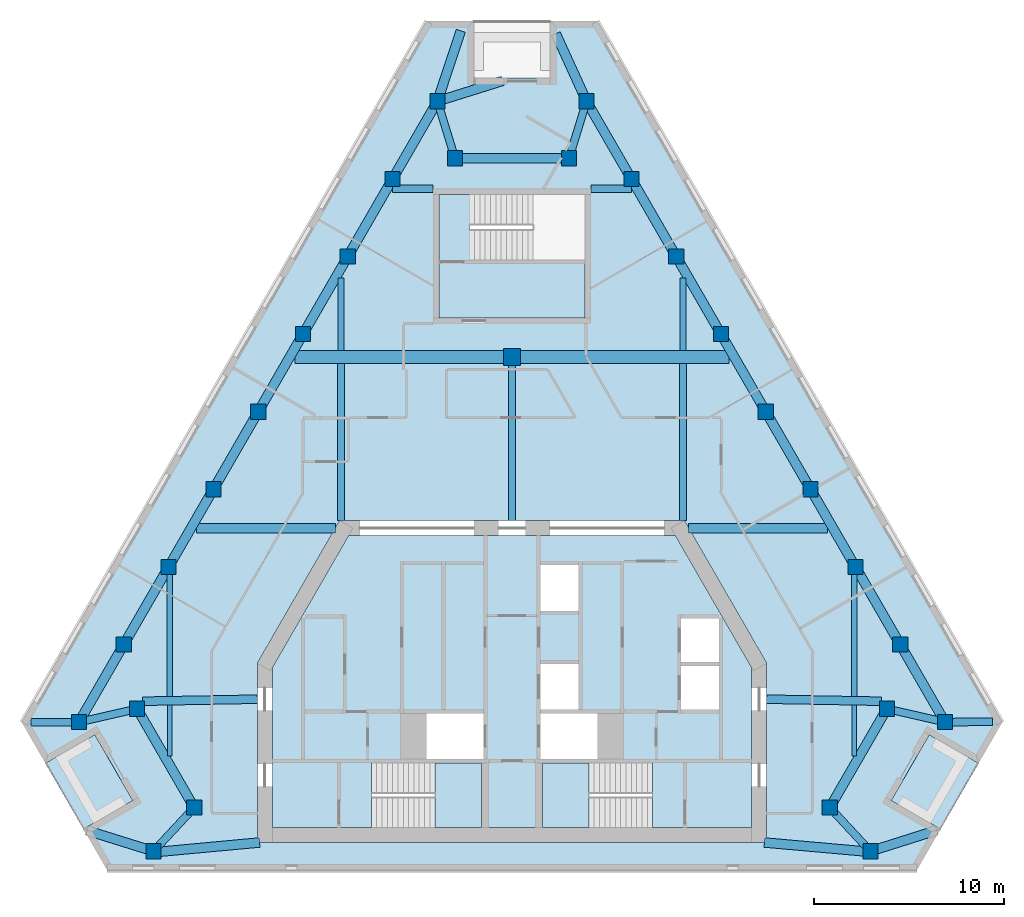
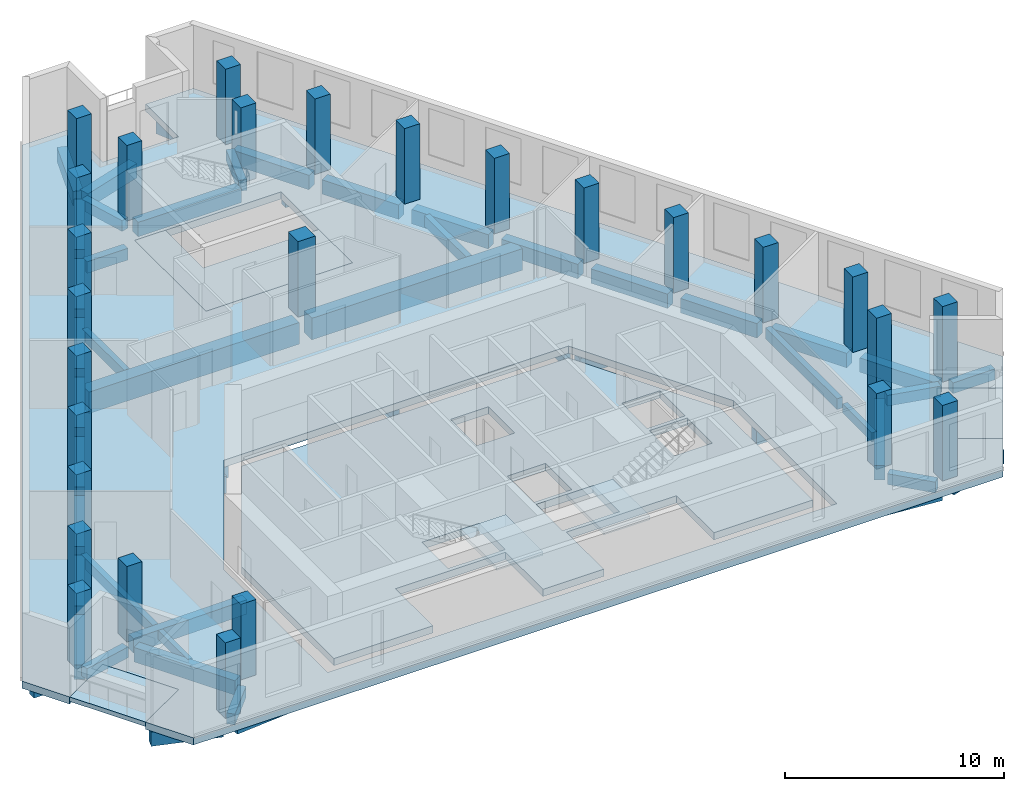
# One storey, part 1 of 8: 51 beams, 27 columns, 7 slabs, 2 elements without a shape of their own.
"""IFC4 building model written with IfcOpenShell, lengths in metres."""

from ifc_helpers import new_model, si_unit, direction, frame, origin, origin_2d, place, context, subcontext, project, spatial, polyline, rectangle, outline, extrude, material, layer, layer_set, material_profile, profile_set, type_object, element, aggregate, save


model = new_model("IFC4")

# Units and contexts
model_context = context("Model", 3, precision=1e-05, world=origin(), true_north=direction((0.0, 1.0)))
body_context = subcontext(model_context, "Body", "Model", "MODEL_VIEW")
ifc_project = project(units=[si_unit("LENGTHUNIT", "METRE"), si_unit("AREAUNIT", "SQUARE_METRE"), si_unit("VOLUMEUNIT", "CUBIC_METRE"), si_unit("PLANEANGLEUNIT", "RADIAN"), si_unit("MASSUNIT", "GRAM", prefix="KILO")], contexts=[model_context])

# Site, building, storey
site_placement = place(None, origin())
site = spatial("IfcSite", under=ifc_project, at=site_placement, CompositionType="ELEMENT")
building_placement = place(site_placement, origin())
building = spatial("IfcBuilding", under=site, at=building_placement, Name="Fogline Exchange Tower", CompositionType="ELEMENT")
storey_placement = place(building_placement, frame((0.0, 0.0, 266.699951171875)))
storey = spatial("IfcBuildingStorey", under=building, at=storey_placement, Name="L60", CompositionType="ELEMENT", Elevation=266.699951171875)

# Columns
ifc_material_1 = material(Name="Concrete C60", Category="concrete")
ifc_material_profile_1 = material_profile(ifc_material_1, rectangle(XDim=0.89990234375, YDim=0.89990234375, at=origin_2d()), Name="RC 900x900")
ifc_profile_set_1 = profile_set([ifc_material_profile_1], Name="Concrete C60")
column_type_1 = type_object("IfcColumnType", Name="C06", PredefinedType="COLUMN", material=ifc_profile_set_1)
column_placement = place(storey_placement, frame((0.0, 27.0, 0.0), z_axis=(0.0, 0.0, 1.0), x_axis=(1.0, 0.0, 0.0)))
element("IfcColumn", 1, at=column_placement, inside=storey, type_object=column_type_1, Name="IC-0-27", PredefinedType="COLUMN", context=body_context, shape_type="SweptSolid", body=[
    extrude(rectangle(XDim=0.89990234375, YDim=0.89990234375, at=origin_2d()), origin(), (0.0, 0.0, 1.0), 4.199951171875),
])
ifc_material_profile_2 = material_profile(ifc_material_1, rectangle(XDim=0.800048828125, YDim=0.800048828125, at=origin_2d()), Name="RC 800x800")
ifc_profile_set_2 = profile_set([ifc_material_profile_2], Name="Concrete C60")
column_type_2 = type_object("IfcColumnType", Name="C07", PredefinedType="COLUMN", material=ifc_profile_set_2)
for number, where, z_axis, x_axis, name in (
    (2, (-22.7802734375, 7.794189453125, 0.0), (0.0, 0.0, 1.0), (1.0, 0.0, 0.0), "SW-a"),
    (3, (-19.720947265625, 8.4951171875, 0.0), (0.0, 0.0, 1.0), (1.0, 0.0, 0.0), "SW-p4"),
    (4, (-16.720947265625, 3.299072265625, 0.0), (0.0, 0.0, 1.0), (1.0, 0.0, 0.0), "SW-p3"),
    (5, (-18.857666015625, 1.0, 0.0), (0.0, 0.0, 1.0), (1.0, 0.0, 0.0), "SW-b"),
    (6, (18.857666015625, 1.0, 0.0), (0.0, 0.0, 1.0), (1.0, 0.0, 0.0), "SE-a"),
    (7, (16.720947265625, 3.299072265625, 0.0), (0.0, 0.0, 1.0), (1.0, 0.0, 0.0), "SE-p4"),
    (8, (19.720947265625, 8.4951171875, 0.0), (0.0, 0.0, 1.0), (1.0, 0.0, 0.0), "SE-p3"),
    (9, (22.7802734375, 7.794189453125, 0.0), (0.0, 0.0, 1.0), (1.0, 0.0, 0.0), "SE-b"),
    (10, (20.423095703125, 11.876953125, 0.0), (0.0, 0.0, 1.0), (1.0, 0.0, 0.0), "E1"),
    (11, (18.06591796875, 15.959716796875, 0.0), (0.0, 0.0, 1.0), (1.0, 0.0, 0.0), "E2"),
    (12, (15.708740234375, 20.04248046875, 0.0), (0.0, 0.0, 1.0), (1.0, 0.0, 0.0), "E3"),
    (13, (13.3515625, 24.12548828125, 0.0), (0.0, 0.0, 1.0), (1.0, 0.0, 0.0), "E4"),
    (14, (10.994384765625, 28.208251953125, 0.0), (0.0, 0.0, 1.0), (1.0, 0.0, 0.0), "E5"),
    (15, (8.63720703125, 32.291015625, 0.0), (0.0, 0.0, 1.0), (1.0, 0.0, 0.0), "E6"),
    (16, (6.27978515625, 36.373779296875, 0.0), (0.0, 0.0, 1.0), (1.0, 0.0, 0.0), "E7"),
    (17, (3.922607421875, 40.456787109375, 0.0), (0.0, 0.0, 1.0), (1.0, 0.0, 0.0), "N-a"),
    (18, (3.0, 37.456787109375, 0.0), (0.0, 0.0, 1.0), (1.0, 0.0, 0.0), "N-p4"),
    (19, (-3.0, 37.456787109375, 0.0), (0.0, 0.0, 1.0), (1.0, 0.0, 0.0), "N-p3"),
    (20, (-3.922607421875, 40.456787109375, 0.0), (0.0, 0.0, 1.0), (1.0, 0.0, 0.0), "N-b"),
    (21, (-6.27978515625, 36.373779296875, 0.0), (0.0, 0.0, 1.0), (1.0, 0.0, 0.0), "W1"),
    (22, (-8.63720703125, 32.291015625, 0.0), (0.0, 0.0, 1.0), (1.0, 0.0, 0.0), "W2"),
    (23, (-10.994384765625, 28.208251953125, 0.0), (0.0, 0.0, 1.0), (1.0, 0.0, 0.0), "W3"),
    (24, (-13.3515625, 24.12548828125, 0.0), (0.0, 0.0, 1.0), (1.0, 0.0, 0.0), "W4"),
    (25, (-15.708740234375, 20.04248046875, 0.0), (0.0, 0.0, 1.0), (1.0, 0.0, 0.0), "W5"),
    (26, (-18.06591796875, 15.959716796875, 0.0), (0.0, 0.0, 1.0), (1.0, 0.0, 0.0), "W6"),
    (27, (-20.423095703125, 11.876953125, 0.0), (0.0, 0.0, 1.0), (1.0, 0.0, 0.0), "W7"),
):
    element("IfcColumn", number, at=place(storey_placement, frame(where, z_axis=z_axis, x_axis=x_axis)), inside=storey, type_object=column_type_2, Name=name, PredefinedType="COLUMN", context=body_context, shape_type="SweptSolid", body=[
        extrude(rectangle(XDim=0.800048828125, YDim=0.800048828125, at=origin_2d()), origin(), (0.0, 0.0, 1.0), 4.199951171875),
    ])

# Beams
ifc_material_2 = material(Name="Concrete C40", Category="concrete")
ifc_material_profile_3 = material_profile(ifc_material_2, rectangle(XDim=0.300048828125, YDim=0.60009765625, at=origin_2d()), Name="RC 300x600")
ifc_profile_set_3 = profile_set([ifc_material_profile_3], Name="Concrete C40")
beam_type_1 = type_object("IfcBeamType", Name="B06", PredefinedType="BEAM", material=ifc_profile_set_3)
beam_1_placement = place(storey_placement, frame((-18.0, 9.1435546875, -0.699951171875), z_axis=(0.0, 1.0, 0.0), x_axis=(-1.0, 0.0, 0.0)))
element("IfcBeam", 28, at=beam_1_placement, inside=storey, type_object=beam_type_1, Name="SB002", PredefinedType="BEAM", context=body_context, shape_type="SweptSolid", body=[
    extrude(rectangle(XDim=0.300048828125, YDim=0.60009765625, at=origin_2d()), origin(), (0.0, 0.0, 1.0), 6.5361328125),
])
for number, where, z_axis, x_axis, name in (
    (29, (-9.0, 27.35009765625, -0.699951171875), (0.0, 1.0, 0.0), (-1.0, 0.0, 0.0), "SB004"),
    (30, (9.0, 27.35009765625, -0.699951171875), (0.0, 1.0, 0.0), (-1.0, 0.0, 0.0), "SB007"),
):
    element("IfcBeam", number, at=place(storey_placement, frame(where, z_axis=z_axis, x_axis=x_axis)), inside=storey, type_object=beam_type_1, Name=name, PredefinedType="BEAM", context=body_context, shape_type="SweptSolid", body=[
        extrude(rectangle(XDim=0.300048828125, YDim=0.60009765625, at=origin_2d()), origin(), (0.0, 0.0, 1.0), 3.812255859375),
    ])
beam_2_placement = place(storey_placement, frame((18.0, 9.1435546875, -0.699951171875), z_axis=(0.0, 1.0, 0.0), x_axis=(-1.0, 0.0, 0.0)))
element("IfcBeam", 31, at=beam_2_placement, inside=storey, type_object=beam_type_1, Name="SB009", PredefinedType="BEAM", context=body_context, shape_type="SweptSolid", body=[
    extrude(rectangle(XDim=0.300048828125, YDim=0.60009765625, at=origin_2d()), origin(), (0.0, 0.0, 1.0), 6.5361328125),
])
ifc_material_profile_4 = material_profile(ifc_material_2, rectangle(XDim=0.25, YDim=0.5, at=origin_2d()), Name="RC 250x500")
ifc_profile_set_4 = profile_set([ifc_material_profile_4], Name="Concrete C40")
beam_type_2 = type_object("IfcBeamType", Name="B08", PredefinedType="BEAM", material=ifc_profile_set_4)
for number, where, z_axis, x_axis, name in (
    (32, (-18.0, 6.014404296875, -0.64990234375), (0.0, 1.0, 0.0), (-1.0, 0.0, 0.0), "SB001"),
    (33, (18.0, 6.014404296875, -0.64990234375), (0.0, 1.0, 0.0), (-1.0, 0.0, 0.0), "SB008"),
):
    element("IfcBeam", number, at=place(storey_placement, frame(where, z_axis=z_axis, x_axis=x_axis)), inside=storey, type_object=beam_type_2, Name=name, PredefinedType="BEAM", context=body_context, shape_type="SweptSolid", body=[
        extrude(rectangle(XDim=0.25, YDim=0.5, at=origin_2d()), origin(), (0.0, 0.0, 1.0), 2.67919921875),
    ])
ifc_material_profile_5 = material_profile(ifc_material_2, rectangle(XDim=0.5, YDim=0.800048828125, at=origin_2d()), Name="RC 500x800")
ifc_profile_set_5 = profile_set([ifc_material_profile_5], Name="Concrete C40")
beam_type_3 = type_object("IfcBeamType", Name="B10", PredefinedType="BEAM", material=ifc_profile_set_5)
beam_3_placement = place(storey_placement, frame((-19.550048828125, 8.19921875, -0.800048828125), z_axis=(0.500011318533, -0.866018868928, 0.0), x_axis=(0.866018868928, 0.500011318533, 0.0)))
element("IfcBeam", 34, at=beam_3_placement, inside=storey, type_object=beam_type_3, Name="RB002", PredefinedType="BEAM", context=body_context, shape_type="SweptSolid", body=[
    extrude(rectangle(XDim=0.5, YDim=0.800048828125, at=origin_2d()), origin(), (0.0, 0.0, 1.0), 5.31640625),
])
beam_4_placement = place(storey_placement, frame((-18.5771484375, 0.970703125, -0.800048828125), z_axis=(0.995739815684, 0.092207480512, 0.0), x_axis=(-0.092207480512, 0.995739815684, 0.0)))
element("IfcBeam", 35, at=beam_4_placement, inside=storey, type_object=beam_type_3, Name="RB004", PredefinedType="BEAM", context=body_context, shape_type="SweptSolid", body=[
    extrude(rectangle(XDim=0.5, YDim=0.800048828125, at=origin_2d()), origin(), (0.0, 0.0, 1.0), 5.3193359375),
])
beam_5_placement = place(storey_placement, frame((13.280517578125, 1.460693359375, -0.800048828125), z_axis=(0.996066339578, -0.088610649246, 0.0), x_axis=(0.088610649246, 0.996066339578, 0.0)))
element("IfcBeam", 36, at=beam_5_placement, inside=storey, type_object=beam_type_3, Name="RB005", PredefinedType="BEAM", context=body_context, shape_type="SweptSolid", body=[
    extrude(rectangle(XDim=0.5, YDim=0.800048828125, at=origin_2d()), origin(), (0.0, 0.0, 1.0), 5.317626953125),
])
beam_6_placement = place(storey_placement, frame((16.891845703125, 3.59521484375, -0.800048828125), z_axis=(0.500011318533, 0.866018868928, 0.0), x_axis=(-0.866018868928, 0.500011318533, 0.0)))
element("IfcBeam", 37, at=beam_6_placement, inside=storey, type_object=beam_type_3, Name="RB007", PredefinedType="BEAM", context=body_context, shape_type="SweptSolid", body=[
    extrude(rectangle(XDim=0.5, YDim=0.800048828125, at=origin_2d()), origin(), (0.0, 0.0, 1.0), 5.31640625),
])
for number, where, z_axis, x_axis, name in (
    (38, (22.609375, 8.09033203125, -0.800048828125), (-0.500002082887, 0.866024201226, 0.0), (-0.866024201226, -0.500002082887, 0.0), "RB009"),
    (39, (20.252197265625, 12.173095703125, -0.800048828125), (-0.500002082887, 0.866024201226, 0.0), (-0.866024201226, -0.500002082887, 0.0), "RB010"),
    (40, (17.89501953125, 16.255859375, -0.800048828125), (-0.500002082887, 0.866024201226, 0.0), (-0.866024201226, -0.500002082887, 0.0), "RB011"),
):
    element("IfcBeam", number, at=place(storey_placement, frame(where, z_axis=z_axis, x_axis=x_axis)), inside=storey, type_object=beam_type_3, Name=name, PredefinedType="BEAM", context=body_context, shape_type="SweptSolid", body=[
        extrude(rectangle(XDim=0.5, YDim=0.800048828125, at=origin_2d()), origin(), (0.0, 0.0, 1.0), 4.03076171875),
    ])
for number, where, z_axis, x_axis, name in (
    (41, (15.53759765625, 20.338623046875, -0.800048828125), (-0.499956653746, 0.866050428309, 0.0), (-0.866050428309, -0.499956653746, 0.0), "RB012"),
    (42, (13.180419921875, 24.42138671875, -0.800048828125), (-0.499956653746, 0.866050428309, 0.0), (-0.866050428309, -0.499956653746, 0.0), "RB013"),
    (43, (10.8232421875, 28.50439453125, -0.800048828125), (-0.499956653746, 0.866050428309, 0.0), (-0.866050428309, -0.499956653746, 0.0), "RB014"),
):
    element("IfcBeam", number, at=place(storey_placement, frame(where, z_axis=z_axis, x_axis=x_axis)), inside=storey, type_object=beam_type_3, Name=name, PredefinedType="BEAM", context=body_context, shape_type="SweptSolid", body=[
        extrude(rectangle(XDim=0.5, YDim=0.800048828125, at=origin_2d()), origin(), (0.0, 0.0, 1.0), 4.030517578125),
    ])
for number, where, z_axis, x_axis, name in (
    (44, (8.466064453125, 32.587158203125, -0.800048828125), (-0.500002082887, 0.866024201226, 0.0), (-0.866024201226, -0.500002082887, 0.0), "RB015"),
    (45, (6.10888671875, 36.669921875, -0.800048828125), (-0.500002082887, 0.866024201226, 0.0), (-0.866024201226, -0.500002082887, 0.0), "RB016"),
):
    element("IfcBeam", number, at=place(storey_placement, frame(where, z_axis=z_axis, x_axis=x_axis)), inside=storey, type_object=beam_type_3, Name=name, PredefinedType="BEAM", context=body_context, shape_type="SweptSolid", body=[
        extrude(rectangle(XDim=0.5, YDim=0.800048828125, at=origin_2d()), origin(), (0.0, 0.0, 1.0), 4.03076171875),
    ])
beam_7_placement = place(storey_placement, frame((2.719970703125, 37.456787109375, -0.800048828125), z_axis=(-1.0, 0.0, 0.0), x_axis=(0.0, -1.0, 0.0)))
element("IfcBeam", 46, at=beam_7_placement, inside=storey, type_object=beam_type_3, Name="RB018", PredefinedType="BEAM", context=body_context, shape_type="SweptSolid", body=[
    extrude(rectangle(XDim=0.5, YDim=0.800048828125, at=origin_2d()), origin(), (0.0, 0.0, 1.0), 5.43994140625),
])
for number, where, z_axis, x_axis, name in (
    (47, (-4.093505859375, 40.16064453125, -0.800048828125), (-0.500002082887, -0.866024201226, 0.0), (0.866024201226, -0.500002082887, 0.0), "RB020"),
    (48, (-6.45068359375, 36.077880859375, -0.800048828125), (-0.500002082887, -0.866024201226, 0.0), (0.866024201226, -0.500002082887, 0.0), "RB021"),
):
    element("IfcBeam", number, at=place(storey_placement, frame(where, z_axis=z_axis, x_axis=x_axis)), inside=storey, type_object=beam_type_3, Name=name, PredefinedType="BEAM", context=body_context, shape_type="SweptSolid", body=[
        extrude(rectangle(XDim=0.5, YDim=0.800048828125, at=origin_2d()), origin(), (0.0, 0.0, 1.0), 4.03076171875),
    ])
for number, where, z_axis, x_axis, name in (
    (49, (-8.80810546875, 31.9951171875, -0.800048828125), (-0.499956653746, -0.866050428309, 0.0), (0.866050428309, -0.499956653746, 0.0), "RB022"),
    (50, (-11.165283203125, 27.912109375, -0.800048828125), (-0.499956653746, -0.866050428309, 0.0), (0.866050428309, -0.499956653746, 0.0), "RB023"),
    (51, (-13.5224609375, 23.829345703125, -0.800048828125), (-0.499956653746, -0.866050428309, 0.0), (0.866050428309, -0.499956653746, 0.0), "RB024"),
):
    element("IfcBeam", number, at=place(storey_placement, frame(where, z_axis=z_axis, x_axis=x_axis)), inside=storey, type_object=beam_type_3, Name=name, PredefinedType="BEAM", context=body_context, shape_type="SweptSolid", body=[
        extrude(rectangle(XDim=0.5, YDim=0.800048828125, at=origin_2d()), origin(), (0.0, 0.0, 1.0), 4.030517578125),
    ])
for number, where, z_axis, x_axis, name in (
    (52, (-15.879638671875, 19.74658203125, -0.800048828125), (-0.500002082887, -0.866024201226, 0.0), (0.866024201226, -0.500002082887, 0.0), "RB025"),
    (53, (-18.23681640625, 15.663818359375, -0.800048828125), (-0.500002082887, -0.866024201226, 0.0), (0.866024201226, -0.500002082887, 0.0), "RB026"),
    (54, (-20.593994140625, 11.5810546875, -0.800048828125), (-0.500002082887, -0.866024201226, 0.0), (0.866024201226, -0.500002082887, 0.0), "RB027"),
):
    element("IfcBeam", number, at=place(storey_placement, frame(where, z_axis=z_axis, x_axis=x_axis)), inside=storey, type_object=beam_type_3, Name=name, PredefinedType="BEAM", context=body_context, shape_type="SweptSolid", body=[
        extrude(rectangle(XDim=0.5, YDim=0.800048828125, at=origin_2d()), origin(), (0.0, 0.0, 1.0), 4.03076171875),
    ])
beam_8_placement = place(storey_placement, frame((3.790283203125, 40.747314453125, -0.800048828125), z_axis=(-0.414547672788, 0.910027596827, 0.0), x_axis=(-0.910027596827, -0.414547672788, 0.0)))
element("IfcBeam", 55, at=beam_8_placement, inside=storey, type_object=beam_type_3, Name="SP028", PredefinedType="BEAM", context=body_context, shape_type="SweptSolid", body=[
    extrude(rectangle(XDim=0.5, YDim=0.800048828125, at=origin_2d()), origin(), (0.0, 0.0, 1.0), 3.580810546875),
])
beam_9_placement = place(storey_placement, frame((-3.827880859375, 40.742919921875, -0.800048828125), z_axis=(0.314884052228, 0.949130145793, 0.0), x_axis=(-0.949130145793, 0.314884052228, 0.0)))
element("IfcBeam", 56, at=beam_9_placement, inside=storey, type_object=beam_type_3, Name="SP029", PredefinedType="BEAM", context=body_context, shape_type="SweptSolid", body=[
    extrude(rectangle(XDim=0.5, YDim=0.800048828125, at=origin_2d()), origin(), (0.0, 0.0, 1.0), 3.598388671875),
])
beam_10_placement = place(storey_placement, frame((19.143310546875, 1.09033203125, -0.800048828125), z_axis=(0.953330716542, 0.301928045893, 0.0), x_axis=(-0.301928045893, 0.953330716542, 0.0)))
element("IfcBeam", 57, at=beam_10_placement, inside=storey, type_object=beam_type_3, Name="SP030", PredefinedType="BEAM", context=body_context, shape_type="SweptSolid", body=[
    extrude(rectangle(XDim=0.5, YDim=0.800048828125, at=origin_2d()), origin(), (0.0, 0.0, 1.0), 3.358154296875),
])
beam_11_placement = place(storey_placement, frame((-19.14306640625, 1.089111328125, -0.800048828125), z_axis=(-0.95464851982, 0.297735123231, 0.0), x_axis=(-0.297735123231, -0.95464851982, 0.0)))
element("IfcBeam", 58, at=beam_11_placement, inside=storey, type_object=beam_type_3, Name="SP031", PredefinedType="BEAM", context=body_context, shape_type="SweptSolid", body=[
    extrude(rectangle(XDim=0.5, YDim=0.800048828125, at=origin_2d()), origin(), (0.0, 0.0, 1.0), 3.37353515625),
])
beam_12_placement = place(storey_placement, frame((-3.63720703125, 40.546142578125, -0.800048828125), z_axis=(0.954270342063, 0.298945002063, 0.0), x_axis=(-0.298945002063, 0.954270342063, 0.0)))
element("IfcBeam", 59, at=beam_12_placement, inside=storey, type_object=beam_type_3, Name="SP034", PredefinedType="BEAM", context=body_context, shape_type="SweptSolid", body=[
    extrude(rectangle(XDim=0.5, YDim=0.800048828125, at=origin_2d()), origin(), (0.0, 0.0, 1.0), 3.298583984375),
])
ifc_material_profile_6 = material_profile(ifc_material_2, rectangle(XDim=0.39990234375, YDim=0.60009765625, at=origin_2d()), Name="RC 400x600")
ifc_profile_set_6 = profile_set([ifc_material_profile_6], Name="Concrete C40")
beam_type_4 = type_object("IfcBeamType", Name="B11", PredefinedType="BEAM", material=ifc_profile_set_6)
beam_13_placement = place(storey_placement, frame((-22.497314453125, 7.859130859375, -0.699951171875), z_axis=(0.974742274944, 0.223332705705, 0.0), x_axis=(-0.223332705705, 0.974742274944, 0.0)))
element("IfcBeam", 60, at=beam_13_placement, inside=storey, type_object=beam_type_4, Name="RB001", PredefinedType="BEAM", context=body_context, shape_type="SweptSolid", body=[
    extrude(rectangle(XDim=0.39990234375, YDim=0.60009765625, at=origin_2d()), origin(), (0.0, 0.0, 1.0), 2.55810546875),
])
for number, where, z_axis, x_axis, name in (
    (61, (-17.010986328125, 2.98681640625, -0.699951171875), (-0.680795043466, -0.732473964583, 0.0), (0.732473964583, -0.680795043466, 0.0), "RB003"),
    (62, (18.567626953125, 1.31201171875, -0.699951171875), (-0.680795043466, 0.732473964583, 0.0), (-0.732473964583, -0.680795043466, 0.0), "RB006"),
):
    element("IfcBeam", number, at=place(storey_placement, frame(where, z_axis=z_axis, x_axis=x_axis)), inside=storey, type_object=beam_type_4, Name=name, PredefinedType="BEAM", context=body_context, shape_type="SweptSolid", body=[
        extrude(rectangle(XDim=0.39990234375, YDim=0.60009765625, at=origin_2d()), origin(), (0.0, 0.0, 1.0), 2.28662109375),
    ])
beam_14_placement = place(storey_placement, frame((20.00390625, 8.430419921875, -0.699951171875), z_axis=(0.974742274944, -0.223332705705, 0.0), x_axis=(0.223332705705, 0.974742274944, 0.0)))
element("IfcBeam", 63, at=beam_14_placement, inside=storey, type_object=beam_type_4, Name="RB008", PredefinedType="BEAM", context=body_context, shape_type="SweptSolid", body=[
    extrude(rectangle(XDim=0.39990234375, YDim=0.60009765625, at=origin_2d()), origin(), (0.0, 0.0, 1.0), 2.55810546875),
])
for number, where, z_axis, x_axis, name in (
    (64, (3.8349609375, 40.17138671875, -0.699951171875), (-0.294011603251, -0.955801850361, 0.0), (0.955801850361, -0.294011603251, 0.0), "RB017"),
    (65, (-3.087646484375, 37.741943359375, -0.699951171875), (-0.294011603251, 0.955801850361, 0.0), (-0.955801850361, -0.294011603251, 0.0), "RB019"),
):
    element("IfcBeam", number, at=place(storey_placement, frame(where, z_axis=z_axis, x_axis=x_axis)), inside=storey, type_object=beam_type_4, Name=name, PredefinedType="BEAM", context=body_context, shape_type="SweptSolid", body=[
        extrude(rectangle(XDim=0.39990234375, YDim=0.60009765625, at=origin_2d()), origin(), (0.0, 0.0, 1.0), 2.541748046875),
    ])
beam_15_placement = place(storey_placement, frame((-23.060302734375, 7.794189453125, -0.699951171875), z_axis=(-1.0, 0.0, 0.0), x_axis=(0.0, -1.0, 0.0)))
element("IfcBeam", 66, at=beam_15_placement, inside=storey, type_object=beam_type_4, Name="SP032", PredefinedType="BEAM", context=body_context, shape_type="SweptSolid", body=[
    extrude(rectangle(XDim=0.39990234375, YDim=0.60009765625, at=origin_2d()), origin(), (0.0, 0.0, 1.0), 2.23681640625),
])
beam_16_placement = place(storey_placement, frame((23.060302734375, 7.796142578125, -0.699951171875), z_axis=(0.999974552329, 0.007134051795, 0.0), x_axis=(-0.007134051795, 0.999974552329, 0.0)))
element("IfcBeam", 67, at=beam_16_placement, inside=storey, type_object=beam_type_4, Name="SP033", PredefinedType="BEAM", context=body_context, shape_type="SweptSolid", body=[
    extrude(rectangle(XDim=0.39990234375, YDim=0.60009765625, at=origin_2d()), origin(), (0.0, 0.0, 1.0), 2.224365234375),
])
ifc_material_profile_7 = material_profile(ifc_material_2, rectangle(XDim=0.39990234375, YDim=0.64990234375, at=origin_2d()), Name="RC 400x650")
ifc_profile_set_7 = profile_set([ifc_material_profile_7], Name="Concrete C40")
beam_type_5 = type_object("IfcBeamType", Name="B13", PredefinedType="BEAM", material=ifc_profile_set_7)
for number, where, z_axis, x_axis, name in (
    (68, (-6.28955078125, 35.85693359375, -0.724853515625), (1.0, 0.0, 0.0), (0.0, 1.0, 0.0), "GB007"),
    (69, (4.14990234375, 35.85693359375, -0.724853515625), (1.0, 0.0, 0.0), (0.0, 1.0, 0.0), "GB008"),
):
    element("IfcBeam", number, at=place(storey_placement, frame(where, z_axis=z_axis, x_axis=x_axis)), inside=storey, type_object=beam_type_5, Name=name, PredefinedType="BEAM", context=body_context, shape_type="SweptSolid", body=[
        extrude(rectangle(XDim=0.39990234375, YDim=0.64990234375, at=origin_2d()), origin(), (0.0, 0.0, 1.0), 2.1396484375),
    ])
ifc_material_profile_8 = material_profile(ifc_material_2, rectangle(XDim=0.5, YDim=0.949951171875, at=origin_2d()), Name="RC 500x950")
ifc_profile_set_8 = profile_set([ifc_material_profile_8], Name="Concrete C40")
beam_type_6 = type_object("IfcBeamType", Name="B14", PredefinedType="BEAM", material=ifc_profile_set_8)
for number, where, z_axis, x_axis, name in (
    (70, (-16.599365234375, 18.0, -0.875), (1.0, 0.0, 0.0), (0.0, 1.0, 0.0), "GB003"),
    (71, (9.296142578125, 18.0, -0.875), (1.0, 0.0, 0.0), (0.0, 1.0, 0.0), "GB004"),
):
    element("IfcBeam", number, at=place(storey_placement, frame(where, z_axis=z_axis, x_axis=x_axis)), inside=storey, type_object=beam_type_6, Name=name, PredefinedType="BEAM", context=body_context, shape_type="SweptSolid", body=[
        extrude(rectangle(XDim=0.5, YDim=0.949951171875, at=origin_2d()), origin(), (0.0, 0.0, 1.0), 7.30322265625),
    ])
ifc_material_profile_9 = material_profile(ifc_material_2, rectangle(XDim=0.35009765625, YDim=0.64990234375, at=origin_2d()), Name="RC 350x650")
ifc_profile_set_9 = profile_set([ifc_material_profile_9], Name="Concrete C40")
beam_type_7 = type_object("IfcBeamType", Name="B16", PredefinedType="BEAM", material=ifc_profile_set_9)
beam_17_placement = place(storey_placement, frame((-9.0, 18.39990234375, -0.724853515625), z_axis=(0.0, 1.0, 0.0), x_axis=(-1.0, 0.0, 0.0)))
element("IfcBeam", 72, at=beam_17_placement, inside=storey, type_object=beam_type_7, Name="SB003", PredefinedType="BEAM", context=body_context, shape_type="SweptSolid", body=[
    extrude(rectangle(XDim=0.35009765625, YDim=0.64990234375, at=origin_2d()), origin(), (0.0, 0.0, 1.0), 8.25),
])
beam_18_placement = place(storey_placement, frame((0.0, 18.39990234375, -0.724853515625), z_axis=(0.0, 1.0, 0.0), x_axis=(-1.0, 0.0, 0.0)))
element("IfcBeam", 73, at=beam_18_placement, inside=storey, type_object=beam_type_7, Name="SB005", PredefinedType="BEAM", context=body_context, shape_type="SweptSolid", body=[
    extrude(rectangle(XDim=0.35009765625, YDim=0.64990234375, at=origin_2d()), origin(), (0.0, 0.0, 1.0), 8.27001953125),
])
beam_19_placement = place(storey_placement, frame((9.0, 18.39990234375, -0.724853515625), z_axis=(0.0, 1.0, 0.0), x_axis=(-1.0, 0.0, 0.0)))
element("IfcBeam", 74, at=beam_19_placement, inside=storey, type_object=beam_type_7, Name="SB006", PredefinedType="BEAM", context=body_context, shape_type="SweptSolid", body=[
    extrude(rectangle(XDim=0.35009765625, YDim=0.64990234375, at=origin_2d()), origin(), (0.0, 0.0, 1.0), 8.25),
])
ifc_material_profile_10 = material_profile(ifc_material_2, rectangle(XDim=0.699951171875, YDim=1.199951171875, at=origin_2d()), Name="RC 700x1200")
ifc_profile_set_10 = profile_set([ifc_material_profile_10], Name="Concrete C40")
beam_type_8 = type_object("IfcBeamType", Name="B17", PredefinedType="BEAM", material=ifc_profile_set_10)
for number, where, z_axis, x_axis, name in (
    (75, (-11.4033203125, 27.0, -1.0), (1.0, 0.0, 0.0), (0.0, 1.0, 0.0), "GB005"),
    (76, (0.330078125, 27.0, -1.0), (1.0, 0.0, 0.0), (0.0, 1.0, 0.0), "GB006"),
):
    element("IfcBeam", number, at=place(storey_placement, frame(where, z_axis=z_axis, x_axis=x_axis)), inside=storey, type_object=beam_type_8, Name=name, PredefinedType="BEAM", context=body_context, shape_type="SweptSolid", body=[
        extrude(rectangle(XDim=0.699951171875, YDim=1.199951171875, at=origin_2d()), origin(), (0.0, 0.0, 1.0), 11.0732421875),
    ])
ifc_material_profile_11 = material_profile(ifc_material_2, rectangle(XDim=0.449951171875, YDim=0.800048828125, at=origin_2d()), Name="RC 450x800")
ifc_profile_set_11 = profile_set([ifc_material_profile_11], Name="Concrete C40")
beam_type_9 = type_object("IfcBeamType", Name="B18", PredefinedType="BEAM", material=ifc_profile_set_11)
for number, where, z_axis, x_axis, name in (
    (77, (-19.44091796875, 8.89306640625, -0.800048828125), (0.999843369488, 0.017698488354, 0.0), (-0.017698488354, 0.999843369488, 0.0), "GB001"),
    (78, (13.39990234375, 9.0, -0.800048828125), (0.999843369488, -0.017698488354, 0.0), (0.017698488354, 0.999843369488, 0.0), "GB002"),
):
    element("IfcBeam", number, at=place(storey_placement, frame(where, z_axis=z_axis, x_axis=x_axis)), inside=storey, type_object=beam_type_9, Name=name, PredefinedType="BEAM", context=body_context, shape_type="SweptSolid", body=[
        extrude(rectangle(XDim=0.449951171875, YDim=0.800048828125, at=origin_2d()), origin(), (0.0, 0.0, 1.0), 6.0419921875),
    ])

# Slabs
ifc_layer_1 = layer(ifc_material_2, 0.25)
ifc_layer_set_1 = layer_set([ifc_layer_1], Name="DK1")
slab_type_1 = type_object("IfcSlabType", Name="DK1", PredefinedType="FLOOR", material=ifc_layer_set_1)
slab_1_placement = place(storey_placement, frame((0.0, 0.0, -0.25)))
element("IfcSlab", 79, at=slab_1_placement, inside=storey, type_object=slab_type_1, Name="Balcony L60 SW", PredefinedType="FLOOR", context=body_context, shape_type="SweptSolid", body=[
    extrude(outline(polyline([(-24.547119140625, 5.629150390625), (-22.547119140625, 2.1650390625), (-19.948974609375, 3.6650390625), (-21.948974609375, 7.129150390625), (-24.547119140625, 5.629150390625)])), origin(), (0.0, 0.0, 1.0), 0.25),
])
slab_2_placement = place(storey_placement, frame((0.0, 0.0, -0.25)))
element("IfcSlab", 80, at=slab_2_placement, inside=storey, type_object=slab_type_1, Name="Balcony L60 SE", PredefinedType="FLOOR", context=body_context, shape_type="SweptSolid", body=[
    extrude(outline(polyline([(22.547119140625, 2.1650390625), (24.547119140625, 5.629150390625), (21.948974609375, 7.129150390625), (19.948974609375, 3.6650390625), (22.547119140625, 2.1650390625)])), origin(), (0.0, 0.0, 1.0), 0.25),
])
ifc_layer_2 = layer(ifc_material_2, 0.39990234375)
ifc_layer_set_2 = layer_set([ifc_layer_2], Name="S03")
slab_type_2 = type_object("IfcSlabType", Name="S03", PredefinedType="FLOOR", material=ifc_layer_set_2)
slab_3_placement = place(storey_placement, frame((0.0, 0.0, -0.39990234375)))
element("IfcSlab", 81, at=slab_3_placement, inside=storey, type_object=slab_type_2, Name="SLAB L60", PredefinedType="FLOOR", context=body_context, shape_type="SweptSolid", body=[
    extrude(outline(polyline([(-2.0, 44.681640625), (-4.5, 44.681640625), (-25.797119140625, 7.794189453125), (-24.547119140625, 5.629150390625), (-21.948974609375, 7.129150390625), (-19.948974609375, 3.6650390625), (-22.547119140625, 2.1650390625), (-21.297119140625, 0.0), (21.297119140625, 0.0), (22.547119140625, 2.1650390625), (19.948974609375, 3.6650390625), (21.948974609375, 7.129150390625), (24.547119140625, 5.629150390625), (25.797119140625, 7.794189453125), (4.5, 44.681640625), (2.0, 44.681640625), (2.0, 41.681640625), (-2.0, 41.681640625), (-2.0, 44.681640625)]), holes=[polyline([(13.39990234375, 10.891845703125), (13.39990234375, 1.449951171875), (-13.39990234375, 1.449951171875), (-13.39990234375, 10.891845703125), (-9.065185546875, 18.39990234375), (9.065185546875, 18.39990234375), (13.39990234375, 10.891845703125)]), polyline([(3.85009765625, 35.556884765625), (3.85009765625, 29.056884765625), (-3.85009765625, 29.056884765625), (-3.85009765625, 35.556884765625), (3.85009765625, 35.556884765625)])]), origin(), (0.0, 0.0, 1.0), 0.39990234375),
])
slab_4_placement = place(storey_placement, frame((0.0, 0.0, -0.39990234375)))
element("IfcSlab", 82, at=slab_4_placement, inside=storey, type_object=slab_type_2, Name="Core floor slab", PredefinedType="FLOOR", context=body_context, shape_type="SweptSolid", body=[
    extrude(outline(polyline([(-12.60009765625, 2.25), (-12.60009765625, 10.677490234375), (-8.603271484375, 17.60009765625), (8.603271484375, 17.60009765625), (12.60009765625, 10.677490234375), (12.60009765625, 2.25), (7.389892578125, 2.25), (7.389892578125, 5.64990234375), (1.60009765625, 5.64990234375), (1.60009765625, 2.25), (-1.60009765625, 2.25), (-1.60009765625, 5.64990234375), (-7.389892578125, 5.64990234375), (-7.389892578125, 2.25), (-12.60009765625, 2.25)]), holes=[polyline([(-4.5, 8.25), (-4.5, 5.85009765625), (-1.5, 5.85009765625), (-1.5, 8.25), (-4.5, 8.25)]), polyline([(1.5, 8.25), (1.5, 5.85009765625), (4.5, 5.85009765625), (4.5, 8.25), (1.5, 8.25)]), polyline([(8.89990234375, 10.75), (8.89990234375, 8.449951171875), (10.89990234375, 8.449951171875), (10.89990234375, 10.75), (8.89990234375, 10.75)]), polyline([(1.5, 10.85009765625), (1.5, 8.449951171875), (3.5, 8.449951171875), (3.5, 10.85009765625), (1.5, 10.85009765625)]), polyline([(8.89990234375, 13.25), (8.89990234375, 10.949951171875), (10.89990234375, 10.949951171875), (10.89990234375, 13.25), (8.89990234375, 13.25)]), polyline([(1.5, 16.050048828125), (1.5, 13.64990234375), (3.5, 13.64990234375), (3.5, 16.050048828125), (1.5, 16.050048828125)])]), origin(), (0.0, 0.0, 1.0), 0.39990234375),
])
slab_5_placement = place(storey_placement, frame((0.0, 0.0, -0.39990234375)))
element("IfcSlab", 83, at=slab_5_placement, inside=storey, type_object=slab_type_2, Name="Stair enclosure floor slab", PredefinedType="FLOOR", context=body_context, shape_type="SweptSolid", body=[
    extrude(outline(polyline([(3.85009765625, 29.056884765625), (-3.85009765625, 29.056884765625), (-3.85009765625, 35.556884765625), (-2.239990234375, 35.556884765625), (-2.239990234375, 32.10693359375), (3.85009765625, 32.10693359375), (3.85009765625, 29.056884765625)])), origin(), (0.0, 0.0, 1.0), 0.39990234375),
])

# Stair, slab
stair_type = type_object("IfcStairType", Name="STR26-1615", PredefinedType="HALF_TURN_STAIR", material=ifc_material_2)
stair_1_placement = place(storey_placement, origin())
stair_1 = element("IfcStair", 84, at=stair_1_placement, inside=storey, type_object=stair_type, Name="Stair ST1", PredefinedType="HALF_TURN_STAIR")
ifc_layer_3 = layer(ifc_material_2, 0.199951171875)
ifc_layer_set_3 = layer_set([ifc_layer_3], Name="SL200")
slab_type_3 = type_object("IfcSlabType", Name="SL200", PredefinedType="LANDING", material=ifc_layer_set_3)
slab_6_placement = place(storey_placement, frame((0.0, 0.0, 1.900146484375)))
slab_6 = element("IfcSlab", 85, at=slab_6_placement, type_object=slab_type_3, Name="ST1 landing 1", PredefinedType="LANDING", context=body_context, shape_type="SweptSolid", body=[
    extrude(outline(polyline([(-4.0400390625, 2.25), (-1.60009765625, 2.25), (-1.60009765625, 5.64990234375), (-4.0400390625, 5.64990234375), (-4.0400390625, 2.25)])), origin(), (0.0, 0.0, 1.0), 0.199951171875),
])
aggregate(stair_1, [slab_6])

stair_2_placement = place(storey_placement, origin())
stair_2 = element("IfcStair", 86, at=stair_2_placement, inside=storey, type_object=stair_type, Name="Stair ST2", PredefinedType="HALF_TURN_STAIR")
slab_7_placement = place(storey_placement, frame((0.0, 0.0, 1.900146484375)))
slab_7 = element("IfcSlab", 87, at=slab_7_placement, type_object=slab_type_3, Name="ST2 landing 1", PredefinedType="LANDING", context=body_context, shape_type="SweptSolid", body=[
    extrude(outline(polyline([(1.60009765625, 2.25), (4.0400390625, 2.25), (4.0400390625, 5.64990234375), (1.60009765625, 5.64990234375), (1.60009765625, 2.25)])), origin(), (0.0, 0.0, 1.0), 0.199951171875),
])
aggregate(stair_2, [slab_7])

save(model, "model.ifc")
